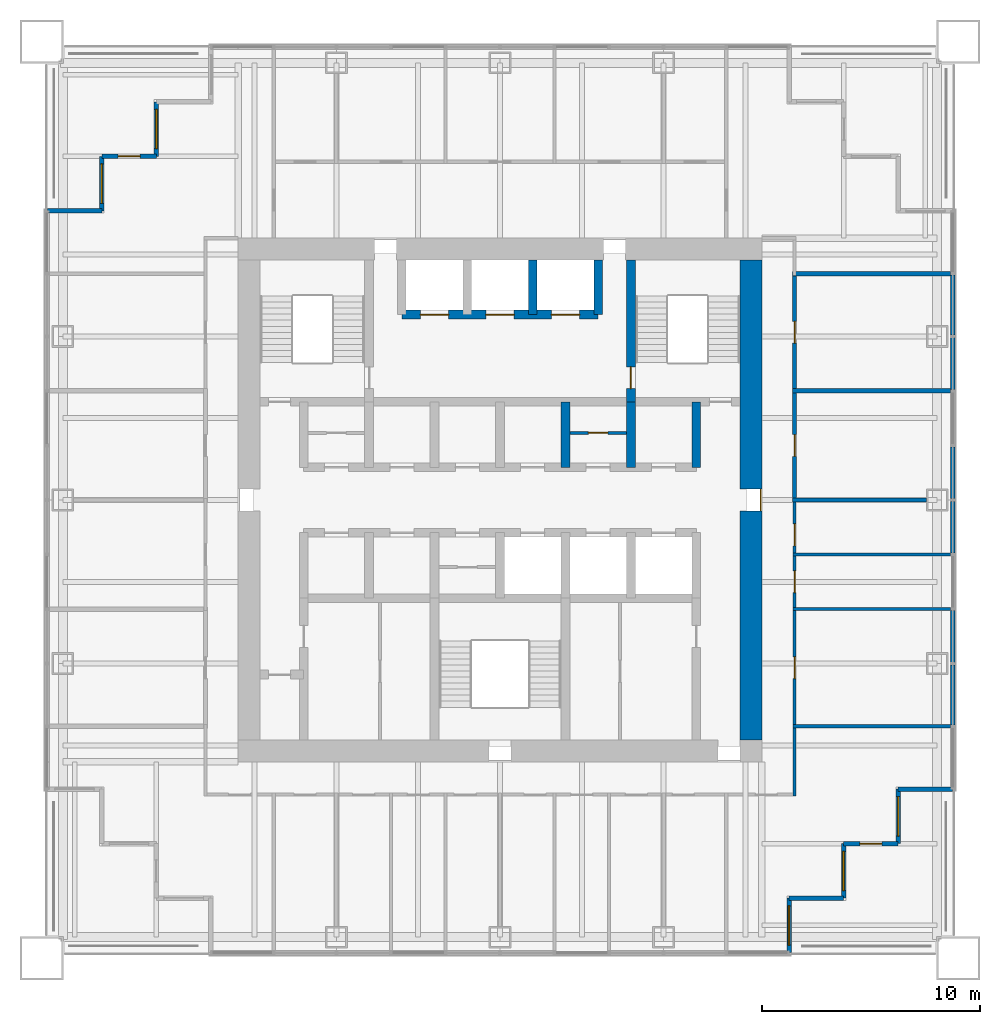
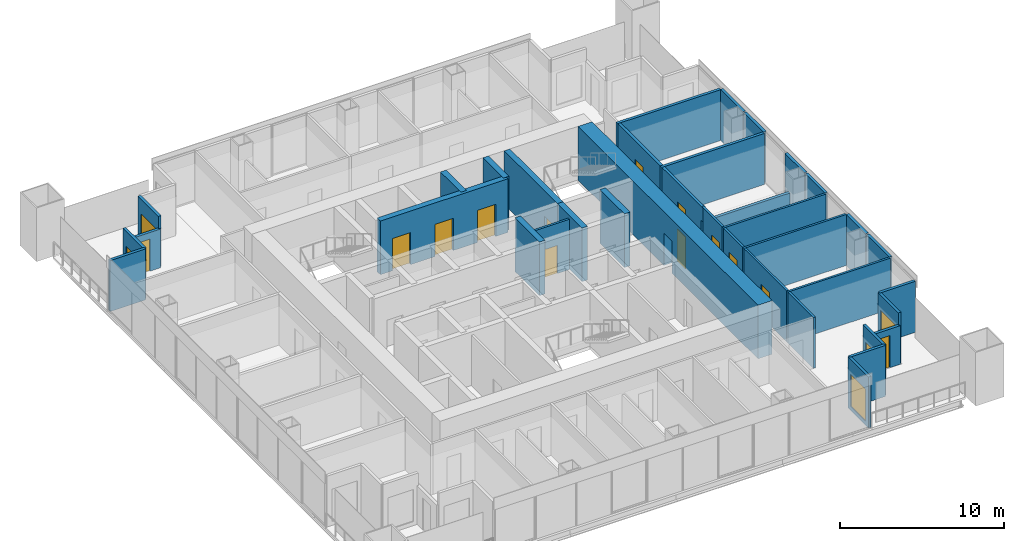
# One storey, part 11 of 15: 33 walls, 13 doors, 5 windows, 18 openings.
"""IFC4 building model written with IfcOpenShell, lengths in metres."""

from ifc_helpers import new_model, si_unit, direction, frame, frame_2d, origin, place, context, subcontext, project, spatial, rectangle, extrude, material, layer, layer_set, type_object, element, fill, save


model = new_model("IFC4")

# Units and contexts
model_context = context("Model", 3, precision=1e-05, world=origin(), true_north=direction((0.0, 1.0)))
body_context = subcontext(model_context, "Body", "Model", "MODEL_VIEW")
ifc_project = project(units=[si_unit("LENGTHUNIT", "METRE"), si_unit("AREAUNIT", "SQUARE_METRE"), si_unit("VOLUMEUNIT", "CUBIC_METRE"), si_unit("PLANEANGLEUNIT", "RADIAN"), si_unit("MASSUNIT", "GRAM", prefix="KILO")], contexts=[model_context])

# Site, building, storey
site_placement = place(None, origin())
site = spatial("IfcSite", under=ifc_project, at=site_placement, CompositionType="ELEMENT")
building_placement = place(site_placement, origin())
building = spatial("IfcBuilding", under=site, at=building_placement, Name="Tarangal Relay Tower", CompositionType="ELEMENT")
storey_placement = place(building_placement, frame((0.0, 0.0, 331.89990234375)))
storey = spatial("IfcBuildingStorey", under=building, at=storey_placement, Name="L74", CompositionType="ELEMENT", Elevation=331.89990234375)

# Walls
ifc_material_1 = material(Name="Two layers gypsum board each side on twin steel studs, mineral wool", Category="steel")
ifc_layer_1 = layer(ifc_material_1, 0.199951171875)
ifc_layer_set_1 = layer_set([ifc_layer_1], Name="Acoustic partition 200")
wall_type_1 = type_object("IfcWallType", Name="Acoustic partition 200", PredefinedType="PARTITIONING", material=ifc_layer_set_1)
wall_1_placement = place(storey_placement, frame((13.39990234375, 0.0, 0.0), z_axis=(0.0, 0.0, 1.0), x_axis=(1.0, 0.0, 0.0)))
element("IfcWall", 1, at=wall_1_placement, inside=storey, type_object=wall_type_1, Name="Partition PT2 L74", PredefinedType="PARTITIONING", context=body_context, shape_type="SweptSolid", body=[
    extrude(rectangle(XDim=6.14013671875, YDim=0.199951171875, at=frame_2d((3.070068359375, 0.0))), origin(), (0.0, 0.0, 1.0), 2.768798828125),
])
for number, where, z_axis, x_axis, name in (
    (2, (13.39990234375, 5.0, 0.0), (0.0, 0.0, 1.0), (1.0, 0.0, 0.0), "Partition PT2 L74"),
    (3, (13.39990234375, 10.375, 0.0), (0.0, 0.0, 1.0), (1.0, 0.0, 0.0), "Partition PT2 L74"),
):
    element("IfcWall", number, at=place(storey_placement, frame(where, z_axis=z_axis, x_axis=x_axis)), inside=storey, type_object=wall_type_1, Name=name, PredefinedType="PARTITIONING", context=body_context, shape_type="SweptSolid", body=[
        extrude(rectangle(XDim=7.25, YDim=0.199951171875, at=frame_2d((3.625, 0.0))), origin(), (0.0, 0.0, 1.0), 3.800048828125),
    ])

# Wall, openings, doors
wall_2_placement = place(storey_placement, frame((13.5, -0.10009765625, 0.0), z_axis=(0.0, 0.0, 1.0), x_axis=(0.0, 1.0, 0.0)))
wall_2 = element("IfcWall", 4, at=wall_2_placement, inside=storey, type_object=wall_type_1, Name="Partition PT2 L74", PredefinedType="PARTITIONING", context=body_context, shape_type="SweptSolid", body=[
    extrude(rectangle(XDim=10.5751953125, YDim=0.199951171875, at=frame_2d((5.28759765625, 0.0))), origin(), (0.0, 0.0, 1.0), 3.800048828125),
])
opening_1_placement = place(wall_2_placement, frame((7.28759765625, 0.0, 0.0)))
opening_1 = element("IfcOpeningElement", 5, at=opening_1_placement, cuts=wall_2, Name="Opening SD1", PredefinedType="OPENING", context=body_context, shape_type="SweptSolid", body=[
    extrude(rectangle(XDim=1.0, YDim=2.39990234375, at=frame_2d((0.5, 1.199951171875))), frame((0.0, 0.10986328125, 0.0), z_axis=(0.0, -1.0, 0.0), x_axis=(1.0, 0.0, 0.0)), (0.0, 0.0, 1.0), 0.219970703125),
])
opening_2_placement = place(wall_2_placement, frame((2.10009765625, 0.0, 0.0)))
opening_2 = element("IfcOpeningElement", 6, at=opening_2_placement, cuts=wall_2, Name="Opening SD1", PredefinedType="OPENING", context=body_context, shape_type="SweptSolid", body=[
    extrude(rectangle(XDim=1.0, YDim=2.39990234375, at=frame_2d((0.5, 1.199951171875))), frame((0.0, 0.10986328125, 0.0), z_axis=(0.0, -1.0, 0.0), x_axis=(1.0, 0.0, 0.0)), (0.0, 0.0, 1.0), 0.219970703125),
])
ifc_material_2 = material(Name="Steel door with hardwood frame", Category="steel")
door_type_1 = type_object("IfcDoorType", Name="Suite entrance door 1000 x 2400", OperationType="SINGLE_SWING_RIGHT", PredefinedType="DOOR", material=ifc_material_2)
door_1_placement = place(opening_1_placement, origin())
door_1 = element("IfcDoor", 7, at=door_1_placement, inside=storey, type_object=door_type_1, Name="Door SD1 to boardroom L74-08", OperationType="SINGLE_SWING_RIGHT", OverallHeight=2.39990234375, OverallWidth=1.0, PredefinedType="DOOR", context=body_context, shape_type="SweptSolid", body=[
    extrude(rectangle(XDim=1.0, YDim=2.39990234375, at=frame_2d((0.5, 1.199951171875))), frame((0.0, 0.02490234375, 0.0), z_axis=(0.0, -1.0, 0.0), x_axis=(1.0, 0.0, 0.0)), (0.0, 0.0, 1.0), 0.050048828125),
])
fill(opening_1, door_1)
door_2_placement = place(opening_2_placement, origin())
door_2 = element("IfcDoor", 8, at=door_2_placement, inside=storey, type_object=door_type_1, Name="Door SD1 to meeting room L74-09", OperationType="SINGLE_SWING_RIGHT", OverallHeight=2.39990234375, OverallWidth=1.0, PredefinedType="DOOR", context=body_context, shape_type="SweptSolid", body=[
    extrude(rectangle(XDim=1.0, YDim=2.39990234375, at=frame_2d((0.5, 1.199951171875))), frame((0.0, 0.02490234375, 0.0), z_axis=(0.0, -1.0, 0.0), x_axis=(1.0, 0.0, 0.0)), (0.0, 0.0, 1.0), 0.050048828125),
])
fill(opening_2, door_2)

ifc_material_3 = material(Name="Concrete fc' 60 MPa", Category="concrete")
ifc_layer_2 = layer(ifc_material_3, 0.39990234375)
ifc_layer_set_2 = layer_set([ifc_layer_2], Name="Core inner wall 400")
wall_type_2 = type_object("IfcWallType", Name="Core inner wall 400", PredefinedType="SHEAR", material=ifc_layer_set_2)
wall_3_placement = place(storey_placement, frame((-4.5, 8.5, 0.0), z_axis=(0.0, 0.0, 1.0), x_axis=(1.0, 0.0, 0.0)))
wall_3 = element("IfcWall", 9, at=wall_3_placement, inside=storey, type_object=wall_type_2, Name="Core wall Y85 L74", PredefinedType="SHEAR", context=body_context, shape_type="SweptSolid", body=[
    extrude(rectangle(XDim=9.0, YDim=0.39990234375, at=frame_2d((4.5, 0.0))), origin(), (0.0, 0.0, 1.0), 4.0),
])
opening_3_placement = place(wall_3_placement, frame((0.85009765625, 0.0, 0.0)))
opening_3 = element("IfcOpeningElement", 10, at=opening_3_placement, cuts=wall_3, Name="Opening LD2", PredefinedType="OPENING", context=body_context, shape_type="SweptSolid", body=[
    extrude(rectangle(XDim=1.300048828125, YDim=2.39990234375, at=frame_2d((0.64990234375, 1.199951171875))), frame((0.0, 0.2099609375, 0.0), z_axis=(0.0, -1.0, 0.0), x_axis=(1.0, 0.0, 0.0)), (0.0, 0.0, 1.0), 0.419921875),
])
opening_4_placement = place(wall_3_placement, frame((6.85009765625, 0.0, 0.0)))
opening_4 = element("IfcOpeningElement", 11, at=opening_4_placement, cuts=wall_3, Name="Opening LD2", PredefinedType="OPENING", context=body_context, shape_type="SweptSolid", body=[
    extrude(rectangle(XDim=1.300048828125, YDim=2.39990234375, at=frame_2d((0.64990234375, 1.199951171875))), frame((0.0, 0.2099609375, 0.0), z_axis=(0.0, -1.0, 0.0), x_axis=(1.0, 0.0, 0.0)), (0.0, 0.0, 1.0), 0.419921875),
])
opening_5_placement = place(wall_3_placement, frame((3.85009765625, 0.0, 0.0)))
opening_5 = element("IfcOpeningElement", 12, at=opening_5_placement, cuts=wall_3, Name="Opening LD2", PredefinedType="OPENING", context=body_context, shape_type="SweptSolid", body=[
    extrude(rectangle(XDim=1.300048828125, YDim=2.39990234375, at=frame_2d((0.64990234375, 1.199951171875))), frame((0.0, 0.2099609375, 0.0), z_axis=(0.0, -1.0, 0.0), x_axis=(1.0, 0.0, 0.0)), (0.0, 0.0, 1.0), 0.419921875),
])
door_type_2 = type_object("IfcDoorType", Name="Lift landing door 1300 x 2400", OperationType="SLIDING_TO_LEFT", PredefinedType="DOOR", material=ifc_material_2)
door_3_placement = place(opening_3_placement, origin())
door_3 = element("IfcDoor", 13, at=door_3_placement, inside=storey, type_object=door_type_2, Name="Lift FF1 landing door L74", OperationType="SLIDING_TO_LEFT", OverallHeight=2.39990234375, OverallWidth=1.300048828125, PredefinedType="DOOR", context=body_context, shape_type="SweptSolid", body=[
    extrude(rectangle(XDim=1.300048828125, YDim=2.39990234375, at=frame_2d((0.64990234375, 1.199951171875))), frame((0.0, 0.02490234375, 0.0), z_axis=(0.0, -1.0, 0.0), x_axis=(1.0, 0.0, 0.0)), (0.0, 0.0, 1.0), 0.050048828125),
])
fill(opening_3, door_3)
door_4_placement = place(opening_4_placement, origin())
door_4 = element("IfcDoor", 14, at=door_4_placement, inside=storey, type_object=door_type_2, Name="Lift FF2 landing door L74", OperationType="SLIDING_TO_LEFT", OverallHeight=2.39990234375, OverallWidth=1.300048828125, PredefinedType="DOOR", context=body_context, shape_type="SweptSolid", body=[
    extrude(rectangle(XDim=1.300048828125, YDim=2.39990234375, at=frame_2d((0.64990234375, 1.199951171875))), frame((0.0, 0.02490234375, 0.0), z_axis=(0.0, -1.0, 0.0), x_axis=(1.0, 0.0, 0.0)), (0.0, 0.0, 1.0), 0.050048828125),
])
fill(opening_4, door_4)
door_5_placement = place(opening_5_placement, origin())
door_5 = element("IfcDoor", 15, at=door_5_placement, inside=storey, type_object=door_type_2, Name="Lift SV1 landing door L74", OperationType="SLIDING_TO_LEFT", OverallHeight=2.39990234375, OverallWidth=1.300048828125, PredefinedType="DOOR", context=body_context, shape_type="SweptSolid", body=[
    extrude(rectangle(XDim=1.300048828125, YDim=2.39990234375, at=frame_2d((0.64990234375, 1.199951171875))), frame((0.0, 0.02490234375, 0.0), z_axis=(0.0, -1.0, 0.0), x_axis=(1.0, 0.0, 0.0)), (0.0, 0.0, 1.0), 0.050048828125),
])
fill(opening_5, door_5)

# Walls
for number, where, z_axis, x_axis, name in (
    (16, (9.0, 1.5, 0.0), (0.0, 0.0, 1.0), (0.0, 1.0, 0.0), "Core wall X9N L74"),
    (17, (3.0, 1.5, 0.0), (0.0, 0.0, 1.0), (0.0, 1.0, 0.0), "Core wall X3N L74"),
    (18, (6.0, 1.5, 0.0), (0.0, 0.0, 1.0), (0.0, 1.0, 0.0), "Core wall X6N L74"),
):
    element("IfcWall", number, at=place(storey_placement, frame(where, z_axis=z_axis, x_axis=x_axis)), inside=storey, type_object=wall_type_2, Name=name, PredefinedType="SHEAR", context=body_context, shape_type="SweptSolid", body=[
        extrude(rectangle(XDim=3.0, YDim=0.39990234375, at=frame_2d((1.5, 0.0))), origin(), (0.0, 0.0, 1.0), 4.0),
    ])

# Wall, opening, door
wall_4_placement = place(storey_placement, frame((6.0, 4.5, 0.0), z_axis=(0.0, 0.0, 1.0), x_axis=(0.0, 1.0, 0.0)))
wall_4 = element("IfcWall", 19, at=wall_4_placement, inside=storey, type_object=wall_type_2, Name="Core wall X6 L74", PredefinedType="SHEAR", context=body_context, shape_type="SweptSolid", body=[
    extrude(rectangle(XDim=6.5, YDim=0.39990234375, at=frame_2d((3.25, 0.0))), origin(), (0.0, 0.0, 1.0), 4.0),
])
opening_6_placement = place(wall_4_placement, frame((0.60009765625, 0.0, 0.0)))
opening_6 = element("IfcOpeningElement", 20, at=opening_6_placement, cuts=wall_4, Name="Opening FD1", PredefinedType="OPENING", context=body_context, shape_type="SweptSolid", body=[
    extrude(rectangle(XDim=1.0, YDim=2.10009765625, at=frame_2d((0.5, 1.050048828125))), frame((0.0, 0.2099609375, 0.0), z_axis=(0.0, -1.0, 0.0), x_axis=(1.0, 0.0, 0.0)), (0.0, 0.0, 1.0), 0.419921875),
])
door_type_3 = type_object("IfcDoorType", Name="Fire door 1000 x 2100", OperationType="SINGLE_SWING_LEFT", PredefinedType="DOOR", material=ifc_material_2)
door_6_placement = place(opening_6_placement, origin())
door_6 = element("IfcDoor", 21, at=door_6_placement, inside=storey, type_object=door_type_3, Name="Stair ST-B door from fire-fighting lobby L74", OperationType="SINGLE_SWING_LEFT", OverallHeight=2.10009765625, OverallWidth=1.0, PredefinedType="DOOR", context=body_context, shape_type="SweptSolid", body=[
    extrude(rectangle(XDim=1.0, YDim=2.10009765625, at=frame_2d((0.5, 1.050048828125))), frame((0.0, 0.02490234375, 0.0), z_axis=(0.0, -1.0, 0.0), x_axis=(1.0, 0.0, 0.0)), (0.0, 0.0, 1.0), 0.050048828125),
])
fill(opening_6, door_6)

# Walls
for number, where, z_axis, x_axis, name in (
    (22, (4.5, 8.5, 0.0), (0.0, 0.0, 1.0), (0.0, 1.0, 0.0), "Core wall X45 L74"),
    (23, (1.5, 8.5, 0.0), (0.0, 0.0, 1.0), (0.0, 1.0, 0.0), "Core wall X15 L74"),
):
    element("IfcWall", number, at=place(storey_placement, frame(where, z_axis=z_axis, x_axis=x_axis)), inside=storey, type_object=wall_type_2, Name=name, PredefinedType="SHEAR", context=body_context, shape_type="SweptSolid", body=[
        extrude(rectangle(XDim=2.5, YDim=0.39990234375, at=frame_2d((1.25, 0.0))), origin(), (0.0, 0.0, 1.0), 4.0),
    ])

# Wall, opening, door
ifc_layer_3 = layer(ifc_material_3, 1.0)
ifc_layer_set_3 = layer_set([ifc_layer_3], Name="Core wall 1000")
wall_type_3 = type_object("IfcWallType", Name="Core wall 1000", PredefinedType="SHEAR", material=ifc_layer_set_3)
wall_5_placement = place(storey_placement, frame((11.5, 11.0, 0.0), z_axis=(0.0, 0.0, 1.0), x_axis=(0.0, -1.0, 0.0)))
wall_5 = element("IfcWall", 24, at=wall_5_placement, inside=storey, type_object=wall_type_3, Name="Core wall E L74", PredefinedType="SHEAR", context=body_context, shape_type="SweptSolid", body=[
    extrude(rectangle(XDim=22.0, YDim=1.0, at=frame_2d((11.0, 0.0))), origin(), (0.0, 0.0, 1.0), 4.0),
])
opening_7_placement = place(wall_5_placement, frame((10.5, 0.0, 0.0)))
opening_7 = element("IfcOpeningElement", 25, at=opening_7_placement, cuts=wall_5, Name="Opening FD3", PredefinedType="OPENING", context=body_context, shape_type="SweptSolid", body=[
    extrude(rectangle(XDim=1.0, YDim=2.39990234375, at=frame_2d((0.5, 1.199951171875))), frame((0.0, 0.510009765625, 0.0), z_axis=(0.0, -1.0, 0.0), x_axis=(1.0, 0.0, 0.0)), (0.0, 0.0, 1.0), 1.02001953125),
])
door_type_4 = type_object("IfcDoorType", Name="Fire door 1000 x 2400 core entry", OperationType="SINGLE_SWING_RIGHT", PredefinedType="DOOR", material=ifc_material_2)
door_7_placement = place(opening_7_placement, origin())
door_7 = element("IfcDoor", 26, at=door_7_placement, inside=storey, type_object=door_type_4, Name="Core entry door east L74", OperationType="SINGLE_SWING_RIGHT", OverallHeight=2.39990234375, OverallWidth=1.0, PredefinedType="DOOR", context=body_context, shape_type="SweptSolid", body=[
    extrude(rectangle(XDim=1.0, YDim=2.39990234375, at=frame_2d((0.5, 1.199951171875))), frame((0.0, 0.48486328125, 0.0), z_axis=(0.0, -1.0, 0.0), x_axis=(1.0, 0.0, 0.0)), (0.0, 0.0, 1.0), 0.050048828125),
])
fill(opening_7, door_7)

# Wall
ifc_material_4 = material(Name="Black metal clad insulated wall", Category="steel")
ifc_layer_4 = layer(ifc_material_4, 0.199951171875)
ifc_layer_set_4 = layer_set([ifc_layer_4], Name="Corner wall metal clad 200")
wall_type_4 = type_object("IfcWallType", Name="Corner wall metal clad 200", PredefinedType="SOLIDWALL", material=ifc_layer_set_4)
wall_6_placement = place(storey_placement, frame((20.75, -13.25, 0.0), z_axis=(0.0, 0.0, 1.0), x_axis=(-1.0, 0.0, 0.0)))
element("IfcWall", 27, at=wall_6_placement, inside=storey, type_object=wall_type_4, Name="Facade wall E facade L74", PredefinedType="SOLIDWALL", context=body_context, shape_type="SweptSolid", body=[
    extrude(rectangle(XDim=2.5, YDim=0.199951171875, at=frame_2d((1.25, 0.0))), origin(), (0.0, 0.0, 1.0), 3.800048828125),
])

# Wall, opening, window
wall_7_placement = place(storey_placement, frame((18.25, -13.25, 0.0), z_axis=(0.0, 0.0, 1.0), x_axis=(0.0, -1.0, 0.0)))
wall_7 = element("IfcWall", 28, at=wall_7_placement, inside=storey, type_object=wall_type_4, Name="Facade wall E facade L74", PredefinedType="SOLIDWALL", context=body_context, shape_type="SweptSolid", body=[
    extrude(rectangle(XDim=2.5, YDim=0.199951171875, at=frame_2d((1.25, 0.0))), origin(), (0.0, 0.0, 1.0), 3.800048828125),
])
opening_8_placement = place(wall_7_placement, frame((0.35009765625, 0.0, 0.300048828125)))
opening_8 = element("IfcOpeningElement", 29, at=opening_8_placement, cuts=wall_7, Name="Opening WN2", PredefinedType="OPENING", context=body_context, shape_type="SweptSolid", body=[
    extrude(rectangle(XDim=1.800048828125, YDim=2.39990234375, at=frame_2d((0.89990234375, 1.199951171875))), frame((0.0, 0.10986328125, 0.0), z_axis=(0.0, -1.0, 0.0), x_axis=(1.0, 0.0, 0.0)), (0.0, 0.0, 1.0), 0.219970703125),
])
ifc_material_5 = material(Name="Dark tinted double glazing in black aluminium frame", Category="aluminium")
window_type = type_object("IfcWindowType", Name="Corner window 1800 x 2400", PartitioningType="SINGLE_PANEL", PredefinedType="WINDOW", material=ifc_material_5)
window_1_placement = place(opening_8_placement, origin())
window_1 = element("IfcWindow", 30, at=window_1_placement, inside=storey, type_object=window_type, Name="Corner window WN2 E facade L74", OverallHeight=2.39990234375, OverallWidth=1.800048828125, PartitioningType="SINGLE_PANEL", PredefinedType="WINDOW", context=body_context, shape_type="SweptSolid", body=[
    extrude(rectangle(XDim=1.800048828125, YDim=2.39990234375, at=frame_2d((0.89990234375, 1.199951171875))), frame((0.0, 0.030029296875, 0.0), z_axis=(0.0, -1.0, 0.0), x_axis=(1.0, 0.0, 0.0)), (0.0, 0.0, 1.0), 0.06005859375),
])
fill(opening_8, window_1)

# Wall, opening, door
wall_8_placement = place(storey_placement, frame((18.25, -15.75, 0.0), z_axis=(0.0, 0.0, 1.0), x_axis=(-1.0, 0.0, 0.0)))
wall_8 = element("IfcWall", 31, at=wall_8_placement, inside=storey, type_object=wall_type_4, Name="Facade wall E facade L74", PredefinedType="SOLIDWALL", context=body_context, shape_type="SweptSolid", body=[
    extrude(rectangle(XDim=2.5, YDim=0.199951171875, at=frame_2d((1.25, 0.0))), origin(), (0.0, 0.0, 1.0), 2.88818359375),
])
opening_9_placement = place(wall_8_placement, frame((0.75, 0.0, 0.0)))
opening_9 = element("IfcOpeningElement", 32, at=opening_9_placement, cuts=wall_8, Name="Opening TD1", PredefinedType="OPENING", context=body_context, shape_type="SweptSolid", body=[
    extrude(rectangle(XDim=1.0, YDim=2.39990234375, at=frame_2d((0.5, 1.199951171875))), frame((0.0, 0.10986328125, 0.0), z_axis=(0.0, -1.0, 0.0), x_axis=(1.0, 0.0, 0.0)), (0.0, 0.0, 1.0), 0.219970703125),
])
ifc_material_6 = material(Name="Aluminium glazed door", Category="aluminium")
door_type_5 = type_object("IfcDoorType", Name="Terrace door 1000 x 2400", OperationType="SINGLE_SWING_RIGHT", PredefinedType="DOOR", material=ifc_material_6)
door_8_placement = place(opening_9_placement, origin())
door_8 = element("IfcDoor", 33, at=door_8_placement, inside=storey, type_object=door_type_5, Name="Terrace door TD1 SE L74", OperationType="SINGLE_SWING_RIGHT", OverallHeight=2.39990234375, OverallWidth=1.0, PredefinedType="DOOR", context=body_context, shape_type="SweptSolid", body=[
    extrude(rectangle(XDim=1.0, YDim=2.39990234375, at=frame_2d((0.5, 1.199951171875))), frame((0.0, 0.02490234375, 0.0), z_axis=(0.0, -1.0, 0.0), x_axis=(1.0, 0.0, 0.0)), (0.0, 0.0, 1.0), 0.050048828125),
])
fill(opening_9, door_8)

# Wall, opening, window
wall_9_placement = place(storey_placement, frame((15.75, -15.75, 0.0), z_axis=(0.0, 0.0, 1.0), x_axis=(0.0, -1.0, 0.0)))
wall_9 = element("IfcWall", 34, at=wall_9_placement, inside=storey, type_object=wall_type_4, Name="Facade wall E facade L74", PredefinedType="SOLIDWALL", context=body_context, shape_type="SweptSolid", body=[
    extrude(rectangle(XDim=2.5, YDim=0.199951171875, at=frame_2d((1.25, 0.0))), origin(), (0.0, 0.0, 1.0), 3.800048828125),
])
opening_10_placement = place(wall_9_placement, frame((0.35009765625, 0.0, 0.300048828125)))
opening_10 = element("IfcOpeningElement", 35, at=opening_10_placement, cuts=wall_9, Name="Opening WN2", PredefinedType="OPENING", context=body_context, shape_type="SweptSolid", body=[
    extrude(rectangle(XDim=1.800048828125, YDim=2.39990234375, at=frame_2d((0.89990234375, 1.199951171875))), frame((0.0, 0.10986328125, 0.0), z_axis=(0.0, -1.0, 0.0), x_axis=(1.0, 0.0, 0.0)), (0.0, 0.0, 1.0), 0.219970703125),
])
window_2_placement = place(opening_10_placement, origin())
window_2 = element("IfcWindow", 36, at=window_2_placement, inside=storey, type_object=window_type, Name="Corner window WN2 E facade L74", OverallHeight=2.39990234375, OverallWidth=1.800048828125, PartitioningType="SINGLE_PANEL", PredefinedType="WINDOW", context=body_context, shape_type="SweptSolid", body=[
    extrude(rectangle(XDim=1.800048828125, YDim=2.39990234375, at=frame_2d((0.89990234375, 1.199951171875))), frame((0.0, 0.030029296875, 0.0), z_axis=(0.0, -1.0, 0.0), x_axis=(1.0, 0.0, 0.0)), (0.0, 0.0, 1.0), 0.06005859375),
])
fill(opening_10, window_2)

# Wall
wall_10_placement = place(storey_placement, frame((15.75, -18.25, 0.0), z_axis=(0.0, 0.0, 1.0), x_axis=(-1.0, 0.0, 0.0)))
element("IfcWall", 37, at=wall_10_placement, inside=storey, type_object=wall_type_4, Name="Facade wall E facade L74", PredefinedType="SOLIDWALL", context=body_context, shape_type="SweptSolid", body=[
    extrude(rectangle(XDim=2.5, YDim=0.199951171875, at=frame_2d((1.25, 0.0))), origin(), (0.0, 0.0, 1.0), 3.800048828125),
])

# Wall, opening, window
wall_11_placement = place(storey_placement, frame((13.25, -18.25, 0.0), z_axis=(0.0, 0.0, 1.0), x_axis=(0.0, -1.0, 0.0)))
wall_11 = element("IfcWall", 38, at=wall_11_placement, inside=storey, type_object=wall_type_4, Name="Facade wall E facade L74", PredefinedType="SOLIDWALL", context=body_context, shape_type="SweptSolid", body=[
    extrude(rectangle(XDim=2.5, YDim=0.199951171875, at=frame_2d((1.25, 0.0))), origin(), (0.0, 0.0, 1.0), 3.800048828125),
])
opening_11_placement = place(wall_11_placement, frame((0.35009765625, 0.0, 0.300048828125)))
opening_11 = element("IfcOpeningElement", 39, at=opening_11_placement, cuts=wall_11, Name="Opening WN2", PredefinedType="OPENING", context=body_context, shape_type="SweptSolid", body=[
    extrude(rectangle(XDim=1.800048828125, YDim=2.39990234375, at=frame_2d((0.89990234375, 1.199951171875))), frame((0.0, 0.10986328125, 0.0), z_axis=(0.0, -1.0, 0.0), x_axis=(1.0, 0.0, 0.0)), (0.0, 0.0, 1.0), 0.219970703125),
])
window_3_placement = place(opening_11_placement, origin())
window_3 = element("IfcWindow", 40, at=window_3_placement, inside=storey, type_object=window_type, Name="Corner window WN2 E facade L74", OverallHeight=2.39990234375, OverallWidth=1.800048828125, PartitioningType="SINGLE_PANEL", PredefinedType="WINDOW", context=body_context, shape_type="SweptSolid", body=[
    extrude(rectangle(XDim=1.800048828125, YDim=2.39990234375, at=frame_2d((0.89990234375, 1.199951171875))), frame((0.0, 0.030029296875, 0.0), z_axis=(0.0, -1.0, 0.0), x_axis=(1.0, 0.0, 0.0)), (0.0, 0.0, 1.0), 0.06005859375),
])
fill(opening_11, window_3)

# Wall
wall_12_placement = place(storey_placement, frame((-20.75, 13.25, 0.0), z_axis=(0.0, 0.0, 1.0), x_axis=(1.0, 0.0, 0.0)))
element("IfcWall", 41, at=wall_12_placement, inside=storey, type_object=wall_type_4, Name="Facade wall W facade L74", PredefinedType="SOLIDWALL", context=body_context, shape_type="SweptSolid", body=[
    extrude(rectangle(XDim=2.5, YDim=0.199951171875, at=frame_2d((1.25, 0.0))), origin(), (0.0, 0.0, 1.0), 3.800048828125),
])

# Wall, opening, window
wall_13_placement = place(storey_placement, frame((-18.25, 13.25, 0.0), z_axis=(0.0, 0.0, 1.0), x_axis=(0.0, 1.0, 0.0)))
wall_13 = element("IfcWall", 42, at=wall_13_placement, inside=storey, type_object=wall_type_4, Name="Facade wall W facade L74", PredefinedType="SOLIDWALL", context=body_context, shape_type="SweptSolid", body=[
    extrude(rectangle(XDim=2.5, YDim=0.199951171875, at=frame_2d((1.25, 0.0))), origin(), (0.0, 0.0, 1.0), 3.800048828125),
])
opening_12_placement = place(wall_13_placement, frame((0.35009765625, 0.0, 0.300048828125)))
opening_12 = element("IfcOpeningElement", 43, at=opening_12_placement, cuts=wall_13, Name="Opening WN2", PredefinedType="OPENING", context=body_context, shape_type="SweptSolid", body=[
    extrude(rectangle(XDim=1.800048828125, YDim=2.39990234375, at=frame_2d((0.89990234375, 1.199951171875))), frame((0.0, 0.10986328125, 0.0), z_axis=(0.0, -1.0, 0.0), x_axis=(1.0, 0.0, 0.0)), (0.0, 0.0, 1.0), 0.219970703125),
])
window_4_placement = place(opening_12_placement, origin())
window_4 = element("IfcWindow", 44, at=window_4_placement, inside=storey, type_object=window_type, Name="Corner window WN2 W facade L74", OverallHeight=2.39990234375, OverallWidth=1.800048828125, PartitioningType="SINGLE_PANEL", PredefinedType="WINDOW", context=body_context, shape_type="SweptSolid", body=[
    extrude(rectangle(XDim=1.800048828125, YDim=2.39990234375, at=frame_2d((0.89990234375, 1.199951171875))), frame((0.0, 0.030029296875, 0.0), z_axis=(0.0, -1.0, 0.0), x_axis=(1.0, 0.0, 0.0)), (0.0, 0.0, 1.0), 0.06005859375),
])
fill(opening_12, window_4)

# Wall, opening, door
wall_14_placement = place(storey_placement, frame((-18.25, 15.75, 0.0), z_axis=(0.0, 0.0, 1.0), x_axis=(1.0, 0.0, 0.0)))
wall_14 = element("IfcWall", 45, at=wall_14_placement, inside=storey, type_object=wall_type_4, Name="Facade wall W facade L74", PredefinedType="SOLIDWALL", context=body_context, shape_type="SweptSolid", body=[
    extrude(rectangle(XDim=2.5, YDim=0.199951171875, at=frame_2d((1.25, 0.0))), origin(), (0.0, 0.0, 1.0), 2.88818359375),
])
opening_13_placement = place(wall_14_placement, frame((0.75, 0.0, 0.0)))
opening_13 = element("IfcOpeningElement", 46, at=opening_13_placement, cuts=wall_14, Name="Opening TD1", PredefinedType="OPENING", context=body_context, shape_type="SweptSolid", body=[
    extrude(rectangle(XDim=1.0, YDim=2.39990234375, at=frame_2d((0.5, 1.199951171875))), frame((0.0, 0.10986328125, 0.0), z_axis=(0.0, -1.0, 0.0), x_axis=(1.0, 0.0, 0.0)), (0.0, 0.0, 1.0), 0.219970703125),
])
door_9_placement = place(opening_13_placement, origin())
door_9 = element("IfcDoor", 47, at=door_9_placement, inside=storey, type_object=door_type_5, Name="Terrace door TD1 NW L74", OperationType="SINGLE_SWING_RIGHT", OverallHeight=2.39990234375, OverallWidth=1.0, PredefinedType="DOOR", context=body_context, shape_type="SweptSolid", body=[
    extrude(rectangle(XDim=1.0, YDim=2.39990234375, at=frame_2d((0.5, 1.199951171875))), frame((0.0, 0.02490234375, 0.0), z_axis=(0.0, -1.0, 0.0), x_axis=(1.0, 0.0, 0.0)), (0.0, 0.0, 1.0), 0.050048828125),
])
fill(opening_13, door_9)

# Wall, opening, window
wall_15_placement = place(storey_placement, frame((-15.75, 15.75, 0.0), z_axis=(0.0, 0.0, 1.0), x_axis=(0.0, 1.0, 0.0)))
wall_15 = element("IfcWall", 48, at=wall_15_placement, inside=storey, type_object=wall_type_4, Name="Facade wall W facade L74", PredefinedType="SOLIDWALL", context=body_context, shape_type="SweptSolid", body=[
    extrude(rectangle(XDim=2.5, YDim=0.199951171875, at=frame_2d((1.25, 0.0))), origin(), (0.0, 0.0, 1.0), 3.800048828125),
])
opening_14_placement = place(wall_15_placement, frame((0.35009765625, 0.0, 0.300048828125)))
opening_14 = element("IfcOpeningElement", 49, at=opening_14_placement, cuts=wall_15, Name="Opening WN2", PredefinedType="OPENING", context=body_context, shape_type="SweptSolid", body=[
    extrude(rectangle(XDim=1.800048828125, YDim=2.39990234375, at=frame_2d((0.89990234375, 1.199951171875))), frame((0.0, 0.10986328125, 0.0), z_axis=(0.0, -1.0, 0.0), x_axis=(1.0, 0.0, 0.0)), (0.0, 0.0, 1.0), 0.219970703125),
])
window_5_placement = place(opening_14_placement, origin())
window_5 = element("IfcWindow", 50, at=window_5_placement, inside=storey, type_object=window_type, Name="Corner window WN2 W facade L74", OverallHeight=2.39990234375, OverallWidth=1.800048828125, PartitioningType="SINGLE_PANEL", PredefinedType="WINDOW", context=body_context, shape_type="SweptSolid", body=[
    extrude(rectangle(XDim=1.800048828125, YDim=2.39990234375, at=frame_2d((0.89990234375, 1.199951171875))), frame((0.0, 0.030029296875, 0.0), z_axis=(0.0, -1.0, 0.0), x_axis=(1.0, 0.0, 0.0)), (0.0, 0.0, 1.0), 0.06005859375),
])
fill(opening_14, window_5)

# Walls
ifc_layer_5 = layer(ifc_material_4, 0.199951171875)
ifc_layer_set_5 = layer_set([ifc_layer_5], Name="Facade infill wall metal clad 200")
wall_type_5 = type_object("IfcWallType", Name="Facade infill wall metal clad 200", PredefinedType="SOLIDWALL", material=ifc_layer_set_5)
wall_16_placement = place(storey_placement, frame((20.75, 10.31494140625, 0.0), z_axis=(0.0, 0.0, 1.0), x_axis=(0.0, -1.0, 0.0)))
element("IfcWall", 51, at=wall_16_placement, inside=storey, type_object=wall_type_5, Name="Facade infill wall E facade L74 1.1", PredefinedType="SOLIDWALL", context=body_context, shape_type="SweptSolid", body=[
    extrude(rectangle(XDim=2.7548828125, YDim=0.199951171875, at=frame_2d((1.37744140625, 0.0))), origin(), (0.0, 0.0, 1.0), 3.800048828125),
])
for number, where, z_axis, x_axis, name in (
    (52, (20.75, 7.43994140625, 0.0), (0.0, 0.0, 1.0), (0.0, -1.0, 0.0), "Facade infill wall E facade L74 1.1"),
    (53, (20.75, 2.43994140625, 0.0), (0.0, 0.0, 1.0), (0.0, -1.0, 0.0), "Facade infill wall E facade L74 1.1"),
    (54, (20.75, -0.06005859375, 0.0), (0.0, 0.0, 1.0), (0.0, -1.0, 0.0), "Facade infill wall E facade L74 1.1"),
    (55, (20.75, -5.06005859375, 0.0), (0.0, 0.0, 1.0), (0.0, -1.0, 0.0), "Facade infill wall E facade L74 1.1"),
):
    element("IfcWall", number, at=place(storey_placement, frame(where, z_axis=z_axis, x_axis=x_axis)), inside=storey, type_object=wall_type_5, Name=name, PredefinedType="SOLIDWALL", context=body_context, shape_type="SweptSolid", body=[
        extrude(rectangle(XDim=2.3798828125, YDim=0.199951171875, at=frame_2d((1.18994140625, 0.0))), origin(), (0.0, 0.0, 1.0), 3.800048828125),
    ])
wall_17_placement = place(storey_placement, frame((20.75, -7.56005859375, 0.0), z_axis=(0.0, 0.0, 1.0), x_axis=(0.0, -1.0, 0.0)))
element("IfcWall", 56, at=wall_17_placement, inside=storey, type_object=wall_type_5, Name="Facade infill wall E facade L74 1.1", PredefinedType="SOLIDWALL", context=body_context, shape_type="SweptSolid", body=[
    extrude(rectangle(XDim=2.7548828125, YDim=0.199951171875, at=frame_2d((1.37744140625, 0.0))), origin(), (0.0, 0.0, 1.0), 3.800048828125),
])
ifc_material_7 = material(Name="Gypsum board on steel studs", Category="steel")
ifc_layer_6 = layer(ifc_material_7, 0.14990234375)
ifc_layer_set_6 = layer_set([ifc_layer_6], Name="Partition 150")
wall_type_6 = type_object("IfcWallType", Name="Partition 150", PredefinedType="PARTITIONING", material=ifc_layer_set_6)
for number, where, z_axis, x_axis, name in (
    (57, (13.425048828125, -10.375, 0.0), (0.0, 0.0, 1.0), (1.0, 0.0, 0.0), "Partition PT1 L74"),
    (58, (13.425048828125, -5.0, 0.0), (0.0, 0.0, 1.0), (1.0, 0.0, 0.0), "Partition PT1 L74"),
    (59, (13.425048828125, -2.5, 0.0), (0.0, 0.0, 1.0), (1.0, 0.0, 0.0), "Partition PT1 L74"),
):
    element("IfcWall", number, at=place(storey_placement, frame(where, z_axis=z_axis, x_axis=x_axis)), inside=storey, type_object=wall_type_6, Name=name, PredefinedType="PARTITIONING", context=body_context, shape_type="SweptSolid", body=[
        extrude(rectangle(XDim=7.224853515625, YDim=0.14990234375, at=frame_2d((3.6123046875, 0.0))), origin(), (0.0, 0.0, 1.0), 3.800048828125),
    ])

# Wall, openings, doors
wall_18_placement = place(storey_placement, frame((13.5, -13.574951171875, 0.0), z_axis=(0.0, 0.0, 1.0), x_axis=(0.0, 1.0, 0.0)))
wall_18 = element("IfcWall", 60, at=wall_18_placement, inside=storey, type_object=wall_type_6, Name="Partition PT1 L74", PredefinedType="PARTITIONING", context=body_context, shape_type="SweptSolid", body=[
    extrude(rectangle(XDim=13.64990234375, YDim=0.14990234375, at=frame_2d((6.824951171875, 0.0))), origin(), (0.0, 0.0, 1.0), 3.800048828125),
])
opening_15_placement = place(wall_18_placement, frame((11.47509765625, 0.0, 0.0)))
opening_15 = element("IfcOpeningElement", 61, at=opening_15_placement, cuts=wall_18, Name="Opening SD1", PredefinedType="OPENING", context=body_context, shape_type="SweptSolid", body=[
    extrude(rectangle(XDim=1.0, YDim=2.39990234375, at=frame_2d((0.5, 1.199951171875))), frame((0.0, 0.0849609375, 0.0), z_axis=(0.0, -1.0, 0.0), x_axis=(1.0, 0.0, 0.0)), (0.0, 0.0, 1.0), 0.169921875),
])
opening_16_placement = place(wall_18_placement, frame((9.324951171875, 0.0, 0.0)))
opening_16 = element("IfcOpeningElement", 62, at=opening_16_placement, cuts=wall_18, Name="Opening SD1", PredefinedType="OPENING", context=body_context, shape_type="SweptSolid", body=[
    extrude(rectangle(XDim=1.0, YDim=2.39990234375, at=frame_2d((0.5, 1.199951171875))), frame((0.0, 0.0849609375, 0.0), z_axis=(0.0, -1.0, 0.0), x_axis=(1.0, 0.0, 0.0)), (0.0, 0.0, 1.0), 0.169921875),
])
opening_17_placement = place(wall_18_placement, frame((5.387451171875, 0.0, 0.0)))
opening_17 = element("IfcOpeningElement", 63, at=opening_17_placement, cuts=wall_18, Name="Opening SD1", PredefinedType="OPENING", context=body_context, shape_type="SweptSolid", body=[
    extrude(rectangle(XDim=1.0, YDim=2.39990234375, at=frame_2d((0.5, 1.199951171875))), frame((0.0, 0.0849609375, 0.0), z_axis=(0.0, -1.0, 0.0), x_axis=(1.0, 0.0, 0.0)), (0.0, 0.0, 1.0), 0.169921875),
])
door_10_placement = place(opening_15_placement, origin())
door_10 = element("IfcDoor", 64, at=door_10_placement, inside=storey, type_object=door_type_1, Name="Door SD1 to tea pantry L74-10", OperationType="SINGLE_SWING_RIGHT", OverallHeight=2.39990234375, OverallWidth=1.0, PredefinedType="DOOR", context=body_context, shape_type="SweptSolid", body=[
    extrude(rectangle(XDim=1.0, YDim=2.39990234375, at=frame_2d((0.5, 1.199951171875))), frame((0.0, 0.02490234375, 0.0), z_axis=(0.0, -1.0, 0.0), x_axis=(1.0, 0.0, 0.0)), (0.0, 0.0, 1.0), 0.050048828125),
])
fill(opening_15, door_10)
door_11_placement = place(opening_16_placement, origin())
door_11 = element("IfcDoor", 65, at=door_11_placement, inside=storey, type_object=door_type_1, Name="Door SD1 to copy room L74-11", OperationType="SINGLE_SWING_RIGHT", OverallHeight=2.39990234375, OverallWidth=1.0, PredefinedType="DOOR", context=body_context, shape_type="SweptSolid", body=[
    extrude(rectangle(XDim=1.0, YDim=2.39990234375, at=frame_2d((0.5, 1.199951171875))), frame((0.0, 0.02490234375, 0.0), z_axis=(0.0, -1.0, 0.0), x_axis=(1.0, 0.0, 0.0)), (0.0, 0.0, 1.0), 0.050048828125),
])
fill(opening_16, door_11)
door_12_placement = place(opening_17_placement, origin())
door_12 = element("IfcDoor", 66, at=door_12_placement, inside=storey, type_object=door_type_1, Name="Door SD1 to executive office L74-12", OperationType="SINGLE_SWING_RIGHT", OverallHeight=2.39990234375, OverallWidth=1.0, PredefinedType="DOOR", context=body_context, shape_type="SweptSolid", body=[
    extrude(rectangle(XDim=1.0, YDim=2.39990234375, at=frame_2d((0.5, 1.199951171875))), frame((0.0, 0.02490234375, 0.0), z_axis=(0.0, -1.0, 0.0), x_axis=(1.0, 0.0, 0.0)), (0.0, 0.0, 1.0), 0.050048828125),
])
fill(opening_17, door_12)

# Wall, opening, door
wall_19_placement = place(storey_placement, frame((3.199951171875, 3.074951171875, 0.0), z_axis=(0.0, 0.0, 1.0), x_axis=(1.0, 0.0, 0.0)))
wall_19 = element("IfcWall", 67, at=wall_19_placement, inside=storey, type_object=wall_type_6, Name="Partition PT1 L74", PredefinedType="PARTITIONING", context=body_context, shape_type="SweptSolid", body=[
    extrude(rectangle(XDim=2.60009765625, YDim=0.14990234375, at=frame_2d((1.300048828125, 0.0))), origin(), (0.0, 0.0, 1.0), 3.75),
])
opening_18_placement = place(wall_19_placement, frame((0.85009765625, 0.0, 0.0)))
opening_18 = element("IfcOpeningElement", 68, at=opening_18_placement, cuts=wall_19, Name="Opening D5", PredefinedType="OPENING", context=body_context, shape_type="SweptSolid", body=[
    extrude(rectangle(XDim=0.89990234375, YDim=2.10009765625, at=frame_2d((0.449951171875, 1.050048828125))), frame((0.0, 0.0849609375, 0.0), z_axis=(0.0, -1.0, 0.0), x_axis=(1.0, 0.0, 0.0)), (0.0, 0.0, 1.0), 0.169921875),
])
ifc_material_8 = material(Name="Hardwood door", Category="wood")
door_type_6 = type_object("IfcDoorType", Name="Cupboard door 900 x 2100", OperationType="SINGLE_SWING_LEFT", PredefinedType="DOOR", material=ifc_material_8)
door_13_placement = place(opening_18_placement, origin())
door_13 = element("IfcDoor", 69, at=door_13_placement, inside=storey, type_object=door_type_6, Name="Door D5 to pantry cupboard L74-T2B", OperationType="SINGLE_SWING_LEFT", OverallHeight=2.10009765625, OverallWidth=0.89990234375, PredefinedType="DOOR", context=body_context, shape_type="SweptSolid", body=[
    extrude(rectangle(XDim=0.89990234375, YDim=2.10009765625, at=frame_2d((0.449951171875, 1.050048828125))), frame((0.0, 0.02490234375, 0.0), z_axis=(0.0, -1.0, 0.0), x_axis=(1.0, 0.0, 0.0)), (0.0, 0.0, 1.0), 0.050048828125),
])
fill(opening_18, door_13)

save(model, "model.ifc")
